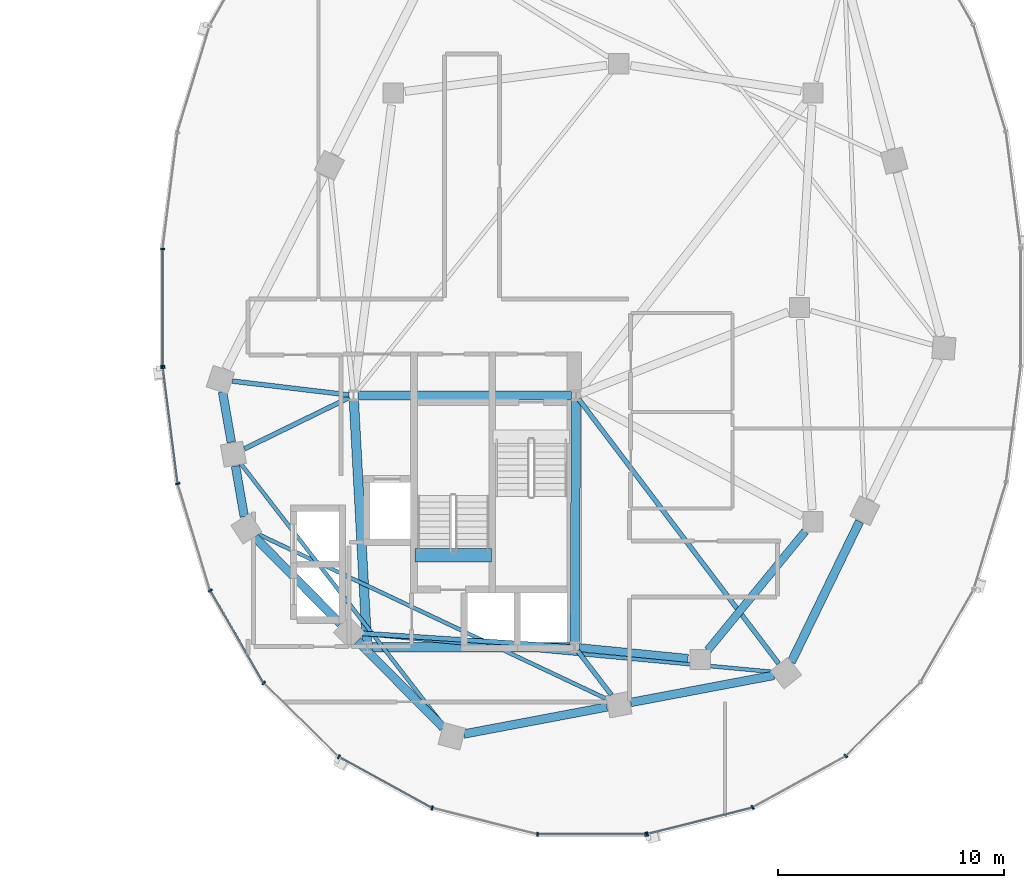
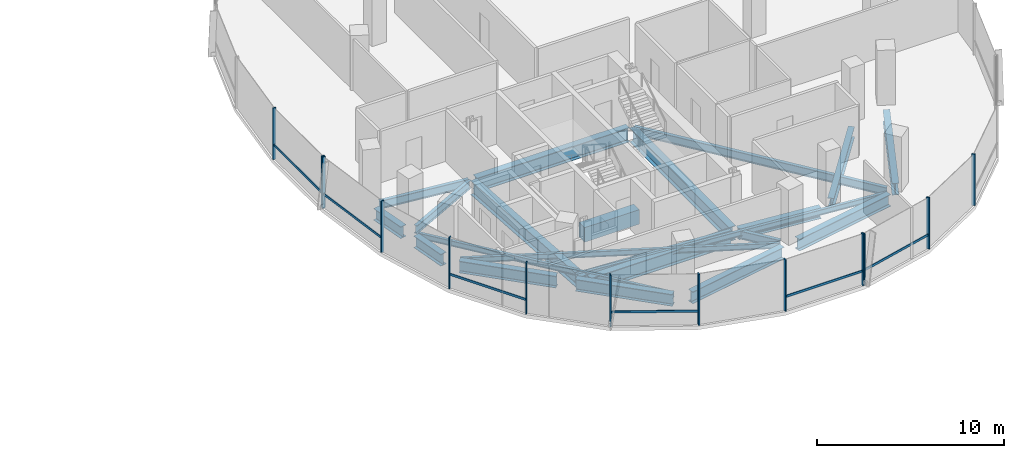
# One storey, part 6 of 22: 22 beams, 19 members, 3 elements without a shape of their own.
"""IFC4 building model written with IfcOpenShell, lengths in metres."""

from ifc_helpers import new_model, si_unit, direction, frame, origin, origin_2d, place, context, subcontext, project, spatial, rectangle, i_section, extrude, material, material_profile, profile_set, type_object, element, aggregate, save


model = new_model("IFC4")

# Units and contexts
model_context = context("Model", 3, precision=1e-05, world=origin(), true_north=direction((0.0, 1.0)))
body_context = subcontext(model_context, "Body", "Model", "MODEL_VIEW")
ifc_project = project(units=[si_unit("LENGTHUNIT", "METRE"), si_unit("AREAUNIT", "SQUARE_METRE"), si_unit("VOLUMEUNIT", "CUBIC_METRE"), si_unit("PLANEANGLEUNIT", "RADIAN"), si_unit("MASSUNIT", "GRAM", prefix="KILO"), si_unit("THERMODYNAMICTEMPERATUREUNIT", "KELVIN"), si_unit("POWERUNIT", "WATT")], contexts=[model_context])

# Site, building, storey
site_placement = place(None, origin())
site = spatial("IfcSite", under=ifc_project, at=site_placement, CompositionType="ELEMENT")
building_placement = place(site_placement, origin())
building = spatial("IfcBuilding", under=site, at=building_placement, Name="Cundina Bronze Exchange", CompositionType="ELEMENT")
storey_placement = place(building_placement, frame((0.0, 0.0, 136.800048828125)))
storey = spatial("IfcBuildingStorey", under=building, at=storey_placement, Name="L35", CompositionType="ELEMENT", Elevation=136.800048828125)

# Beams
ifc_material_1 = material(Name="Concrete C60/75", Category="concrete")
ifc_material_profile_1 = material_profile(ifc_material_1, rectangle(XDim=0.60009765625, YDim=0.949951171875, at=origin_2d()), Name="RC600X950", Category="concrete")
ifc_profile_set_1 = profile_set([ifc_material_profile_1], Name="Concrete C60/75")
beam_type_1 = type_object("IfcBeamType", Name="BM-COUP-RC950", PredefinedType="LINTEL", material=ifc_profile_set_1)
beam_1_placement = place(storey_placement, frame((24.159912109375, -10.97998046875, -0.47509765625), z_axis=(1.0, 0.0, 0.0), x_axis=(0.0, 1.0, 0.0)))
element("IfcBeam", 1, at=beam_1_placement, inside=storey, type_object=beam_type_1, Name="L35 Stair E2 Landing Header Beam", PredefinedType="LINTEL", context=body_context, shape_type="SweptSolid", body=[
    extrude(rectangle(XDim=0.60009765625, YDim=0.949951171875, at=origin_2d()), origin(), (0.0, 0.0, 1.0), 3.400146484375),
])
ifc_material_2 = material(Name="Steel ASTM A992 Grade 50", Category="steel")
ifc_material_profile_2 = material_profile(ifc_material_2, i_section(OverallWidth=0.2099609375, OverallDepth=0.532958984375, WebThickness=0.01025390625, FlangeThickness=0.015625, FilletRadius=0.013916015625, at=origin_2d()), Name="W21X62", Category="steel")
ifc_profile_set_2 = profile_set([ifc_material_profile_2], Name="Steel ASTM A992 Grade 50")
beam_type_2 = type_object("IfcBeamType", Name="BM-FLR-W21B", PredefinedType="BEAM", material=ifc_profile_set_2)
beam_2_placement = place(storey_placement, frame((21.247314453125, -3.8759765625, -0.506591796875), z_axis=(-0.993035701683, 0.117813815752, 0.0), x_axis=(-0.117813815752, -0.993035701683, 0.0)))
element("IfcBeam", 2, at=beam_2_placement, inside=storey, type_object=beam_type_2, Name="L35 Leg E Chordal Floor Beam 00", PredefinedType="BEAM", context=body_context, shape_type="SweptSolid", body=[
    extrude(i_section(OverallWidth=0.2099609375, OverallDepth=0.532958984375, WebThickness=0.01025390625, FlangeThickness=0.015625, FilletRadius=0.013916015625, at=origin_2d()), origin(), (0.0, 0.0, 1.0), 5.19921875),
])
beam_3_placement = place(storey_placement, frame((21.2666015625, -3.989501953125, -0.506591796875), z_axis=(-0.898607246385, -0.438753936443, 0.0), x_axis=(0.438753936443, -0.898607246385, 0.0)))
element("IfcBeam", 3, at=beam_3_placement, inside=storey, type_object=beam_type_2, Name="L35 Leg E Chordal Floor Beam 01", PredefinedType="BEAM", context=body_context, shape_type="SweptSolid", body=[
    extrude(i_section(OverallWidth=0.2099609375, OverallDepth=0.532958984375, WebThickness=0.01025390625, FlangeThickness=0.015625, FilletRadius=0.013916015625, at=origin_2d()), origin(), (0.0, 0.0, 1.0), 5.183837890625),
])
beam_4_placement = place(storey_placement, frame((31.04638671875, -15.036865234375, -0.506591796875), z_axis=(-0.997892901568, 0.064882640211, 0.0), x_axis=(-0.064882640211, -0.997892901568, 0.0)))
element("IfcBeam", 4, at=beam_4_placement, inside=storey, type_object=beam_type_2, Name="L35 Leg E Chordal Floor Beam 03", PredefinedType="BEAM", context=body_context, shape_type="SweptSolid", body=[
    extrude(i_section(OverallWidth=0.2099609375, OverallDepth=0.532958984375, WebThickness=0.01025390625, FlangeThickness=0.015625, FilletRadius=0.013916015625, at=origin_2d()), origin(), (0.0, 0.0, 1.0), 9.279052734375),
])
beam_5_placement = place(storey_placement, frame((31.373779296875, -15.2119140625, -0.506591796875), z_axis=(0.607490490457, -0.79432695032, 0.0), x_axis=(0.79432695032, 0.607490490457, 0.0)))
element("IfcBeam", 5, at=beam_5_placement, inside=storey, type_object=beam_type_2, Name="L35 Leg E Chordal Floor Beam 05", PredefinedType="BEAM", context=body_context, shape_type="SweptSolid", body=[
    extrude(i_section(OverallWidth=0.2099609375, OverallDepth=0.532958984375, WebThickness=0.01025390625, FlangeThickness=0.015625, FilletRadius=0.013916015625, at=origin_2d()), origin(), (0.0, 0.0, 1.0), 2.46826171875),
])
beam_6_placement = place(storey_placement, frame((31.423095703125, -4.062744140625, -0.506591796875), z_axis=(0.603095885041, -0.797668699052, 0.0), x_axis=(0.797668699052, 0.603095885041, 0.0)))
element("IfcBeam", 6, at=beam_6_placement, inside=storey, type_object=beam_type_2, Name="L35 Leg E Chordal Floor Beam 06", PredefinedType="BEAM", context=body_context, shape_type="SweptSolid", body=[
    extrude(i_section(OverallWidth=0.2099609375, OverallDepth=0.532958984375, WebThickness=0.01025390625, FlangeThickness=0.015625, FilletRadius=0.013916015625, at=origin_2d()), origin(), (0.0, 0.0, 1.0), 14.677978515625),
])
ifc_material_profile_3 = material_profile(ifc_material_2, i_section(OverallWidth=0.172119140625, OverallDepth=0.35791015625, WebThickness=0.0078125, FlangeThickness=0.01318359375, FilletRadius=0.010009765625, at=origin_2d()), Name="W14X38", Category="steel")
ifc_profile_set_3 = profile_set([ifc_material_profile_3], Name="Steel ASTM A992 Grade 50")
beam_type_3 = type_object("IfcBeamType", Name="BM-JST-W14", PredefinedType="JOIST", material=ifc_profile_set_3)
beam_7_placement = place(storey_placement, frame((16.454345703125, -6.92529296875, -0.4189453125), z_axis=(0.612065218806, -0.790807288742, 0.0), x_axis=(0.790807288742, 0.612065218806, 0.0)))
element("IfcBeam", 7, at=beam_7_placement, inside=storey, type_object=beam_type_3, Name="L35 Leg E Lobe Floor Joist 01-04", PredefinedType="JOIST", context=body_context, shape_type="SweptSolid", body=[
    extrude(i_section(OverallWidth=0.172119140625, OverallDepth=0.35791015625, WebThickness=0.0078125, FlangeThickness=0.01318359375, FilletRadius=0.010009765625, at=origin_2d()), origin(), (0.0, 0.0, 1.0), 14.73095703125),
])
beam_8_placement = place(storey_placement, frame((17.186279296875, -10.02978515625, -0.4189453125), z_axis=(0.904069270633, -0.427385954259, 0.0), x_axis=(0.427385954259, 0.904069270633, 0.0)))
element("IfcBeam", 8, at=beam_8_placement, inside=storey, type_object=beam_type_3, Name="L35 Leg E Lobe Floor Joist 02-05", PredefinedType="JOIST", context=body_context, shape_type="SweptSolid", body=[
    extrude(i_section(OverallWidth=0.172119140625, OverallDepth=0.35791015625, WebThickness=0.0078125, FlangeThickness=0.01318359375, FilletRadius=0.010009765625, at=origin_2d()), origin(), (0.0, 0.0, 1.0), 17.175048828125),
])
beam_9_placement = place(storey_placement, frame((21.78564453125, -14.44970703125, -0.4189453125), z_axis=(0.995700674022, -0.092629194921, 0.0), x_axis=(0.092629194921, 0.995700674022, 0.0)))
element("IfcBeam", 9, at=beam_9_placement, inside=storey, type_object=beam_type_3, Name="L35 Leg E Lobe Floor Joist 03-06", PredefinedType="JOIST", context=body_context, shape_type="SweptSolid", body=[
    extrude(i_section(OverallWidth=0.172119140625, OverallDepth=0.35791015625, WebThickness=0.0078125, FlangeThickness=0.01318359375, FilletRadius=0.010009765625, at=origin_2d()), origin(), (0.0, 0.0, 1.0), 18.357421875),
])
ifc_material_profile_4 = material_profile(ifc_material_2, i_section(OverallWidth=0.35498046875, OverallDepth=0.695068359375, WebThickness=0.015380859375, FlangeThickness=0.02490234375, FilletRadius=0.01806640625, at=origin_2d()), Name="W27X146", Category="steel")
ifc_profile_set_4 = profile_set([ifc_material_profile_4], Name="Steel ASTM A992 Grade 50")
beam_type_4 = type_object("IfcBeamType", Name="BM-RING-W27", PredefinedType="USERDEFINED", material=ifc_profile_set_4)
beam_10_placement = place(storey_placement, frame((31.452880859375, -15.070068359375, -0.587646484375), z_axis=(0.995126271817, -0.098608839051, 0.0), x_axis=(0.098608839051, 0.995126271817, 0.0)))
element("IfcBeam", 10, at=beam_10_placement, inside=storey, type_object=beam_type_4, Name="L35 E Inner Structural Ring Girder 01", ObjectType="GIRDER", PredefinedType="USERDEFINED", context=body_context, shape_type="SweptSolid", body=[
    extrude(i_section(OverallWidth=0.35498046875, OverallDepth=0.695068359375, WebThickness=0.015380859375, FlangeThickness=0.02490234375, FilletRadius=0.01806640625, at=origin_2d()), origin(), (0.0, 0.0, 1.0), 4.83544921875),
])
beam_11_placement = place(storey_placement, frame((37.14111328125, -15.183837890625, -0.587646484375), z_axis=(0.633926549035, 0.773393257295, 0.0), x_axis=(-0.773393257295, 0.633926549035, 0.0)))
element("IfcBeam", 11, at=beam_11_placement, inside=storey, type_object=beam_type_4, Name="L35 E Inner Structural Ring Girder 02", ObjectType="GIRDER", PredefinedType="USERDEFINED", context=body_context, shape_type="SweptSolid", body=[
    extrude(i_section(OverallWidth=0.35498046875, OverallDepth=0.695068359375, WebThickness=0.015380859375, FlangeThickness=0.02490234375, FilletRadius=0.01806640625, at=origin_2d()), origin(), (0.0, 0.0, 1.0), 6.811279296875),
])
ifc_material_profile_5 = material_profile(ifc_material_2, i_section(OverallWidth=0.381103515625, OverallDepth=0.77294921875, WebThickness=0.0166015625, FlangeThickness=0.027099609375, FilletRadius=0.01904296875, at=origin_2d()), Name="W30X173", Category="steel")
ifc_profile_set_5 = profile_set([ifc_material_profile_5], Name="Steel ASTM A992 Grade 50")
beam_type_5 = type_object("IfcBeamType", Name="BM-RING-W30", PredefinedType="USERDEFINED", material=ifc_profile_set_5)
for number, where, z_axis, x_axis, name in (
    (12, (15.642333984375, -3.72998046875, -0.62646484375), (0.171690078326, -0.985151012284, 0.0), (0.985151012284, 0.171690078326, 0.0), "L35 E Perimeter Ring Girder 00"),
    (13, (16.21728515625, -7.030029296875, -0.62646484375), (0.171690078326, -0.985151012284, 0.0), (0.985151012284, 0.171690078326, 0.0), "L35 E Perimeter Ring Girder 01"),
):
    element("IfcBeam", number, at=place(storey_placement, frame(where, z_axis=z_axis, x_axis=x_axis)), inside=storey, type_object=beam_type_5, Name=name, ObjectType="GIRDER", PredefinedType="USERDEFINED", context=body_context, shape_type="SweptSolid", body=[
        extrude(i_section(OverallWidth=0.381103515625, OverallDepth=0.77294921875, WebThickness=0.0166015625, FlangeThickness=0.027099609375, FilletRadius=0.01904296875, at=origin_2d()), origin(), (0.0, 0.0, 1.0), 2.273681640625),
    ])
for number, where, z_axis, x_axis, name in (
    (14, (17.078369140625, -10.1826171875, -0.62646484375), (0.703226342126, -0.7109660412, 0.0), (0.7109660412, 0.703226342126, 0.0), "L35 E Perimeter Ring Girder 02"),
    (15, (21.62841796875, -14.782470703125, -0.62646484375), (0.703226342126, -0.7109660412, 0.0), (0.7109660412, 0.703226342126, 0.0), "L35 E Perimeter Ring Girder 03"),
):
    element("IfcBeam", number, at=place(storey_placement, frame(where, z_axis=z_axis, x_axis=x_axis)), inside=storey, type_object=beam_type_5, Name=name, ObjectType="GIRDER", PredefinedType="USERDEFINED", context=body_context, shape_type="SweptSolid", body=[
        extrude(i_section(OverallWidth=0.381103515625, OverallDepth=0.77294921875, WebThickness=0.0166015625, FlangeThickness=0.027099609375, FilletRadius=0.01904296875, at=origin_2d()), origin(), (0.0, 0.0, 1.0), 5.39404296875),
    ])
for number, where, z_axis, x_axis, name in (
    (16, (26.32861328125, -18.89990234375, -0.62646484375), (0.98257117919, 0.185886733861, 0.0), (-0.185886733861, 0.98257117919, 0.0), "L35 E Perimeter Ring Girder 04"),
    (17, (33.728515625, -17.5, -0.62646484375), (0.98257117919, 0.185886733861, 0.0), (-0.185886733861, 0.98257117919, 0.0), "L35 E Perimeter Ring Girder 05"),
):
    element("IfcBeam", number, at=place(storey_placement, frame(where, z_axis=z_axis, x_axis=x_axis)), inside=storey, type_object=beam_type_5, Name=name, ObjectType="GIRDER", PredefinedType="USERDEFINED", context=body_context, shape_type="SweptSolid", body=[
        extrude(i_section(OverallWidth=0.381103515625, OverallDepth=0.77294921875, WebThickness=0.0166015625, FlangeThickness=0.027099609375, FilletRadius=0.01904296875, at=origin_2d()), origin(), (0.0, 0.0, 1.0), 6.455322265625),
    ])
beam_12_placement = place(storey_placement, frame((40.835205078125, -15.716064453125, -0.62646484375), z_axis=(0.437193894283, 0.899367276924, 0.0), x_axis=(-0.899367276924, 0.437193894283, 0.0)))
element("IfcBeam", 18, at=beam_12_placement, inside=storey, type_object=beam_type_5, Name="L35 E Perimeter Ring Girder 06", ObjectType="GIRDER", PredefinedType="USERDEFINED", context=body_context, shape_type="SweptSolid", body=[
    extrude(i_section(OverallWidth=0.381103515625, OverallDepth=0.77294921875, WebThickness=0.0166015625, FlangeThickness=0.027099609375, FilletRadius=0.01904296875, at=origin_2d()), origin(), (0.0, 0.0, 1.0), 6.929443359375),
])
ifc_material_profile_6 = material_profile(ifc_material_2, i_section(OverallWidth=0.41796875, OverallDepth=0.927001953125, WebThickness=0.019287109375, FlangeThickness=0.031982421875, FilletRadius=0.02392578125, at=origin_2d()), Name="W36X231", Category="steel")
ifc_profile_set_6 = profile_set([ifc_material_profile_6], Name="Steel ASTM A992 Grade 50")
beam_type_6 = type_object("IfcBeamType", Name="BM-WRN-W36B", PredefinedType="USERDEFINED", material=ifc_profile_set_6)
beam_13_placement = place(storey_placement, frame((31.095947265625, -3.89990234375, -0.70361328125), z_axis=(-1.0, 0.0, 0.0), x_axis=(0.0, -1.0, 0.0)))
element("IfcBeam", 19, at=beam_13_placement, inside=storey, type_object=beam_type_6, Name="L35 E Core Perimeter Tie Girder 1", ObjectType="GIRDER", PredefinedType="USERDEFINED", context=body_context, shape_type="SweptSolid", body=[
    extrude(i_section(OverallWidth=0.41796875, OverallDepth=0.927001953125, WebThickness=0.019287109375, FlangeThickness=0.031982421875, FilletRadius=0.02392578125, at=origin_2d()), origin(), (0.0, 0.0, 1.0), 9.44189453125),
])
beam_14_placement = place(storey_placement, frame((21.4609375, -4.103759765625, -0.70361328125), z_axis=(0.053739193498, -0.998555005537, 0.0), x_axis=(0.998555005537, 0.053739193498, 0.0)))
element("IfcBeam", 20, at=beam_14_placement, inside=storey, type_object=beam_type_6, Name="L35 E Core Perimeter Tie Girder 2", ObjectType="GIRDER", PredefinedType="USERDEFINED", context=body_context, shape_type="SweptSolid", body=[
    extrude(i_section(OverallWidth=0.41796875, OverallDepth=0.927001953125, WebThickness=0.019287109375, FlangeThickness=0.031982421875, FilletRadius=0.02392578125, at=origin_2d()), origin(), (0.0, 0.0, 1.0), 10.758056640625),
])
beam_15_placement = place(storey_placement, frame((22.25390625, -15.050048828125, -0.70361328125), z_axis=(1.0, 0.0, 0.0), x_axis=(0.0, 1.0, 0.0)))
element("IfcBeam", 21, at=beam_15_placement, inside=storey, type_object=beam_type_6, Name="L35 E Core Perimeter Tie Girder 3", ObjectType="GIRDER", PredefinedType="USERDEFINED", context=body_context, shape_type="SweptSolid", body=[
    extrude(i_section(OverallWidth=0.41796875, OverallDepth=0.927001953125, WebThickness=0.019287109375, FlangeThickness=0.031982421875, FilletRadius=0.02392578125, at=origin_2d()), origin(), (0.0, 0.0, 1.0), 8.7919921875),
])
beam_16_placement = place(storey_placement, frame((31.2509765625, -14.845947265625, -0.70361328125), z_axis=(0.004477329608, 0.99998997671, 0.0), x_axis=(-0.99998997671, 0.004477329608, 0.0)))
element("IfcBeam", 22, at=beam_16_placement, inside=storey, type_object=beam_type_6, Name="L35 E Core Perimeter Tie Girder 4", ObjectType="GIRDER", PredefinedType="USERDEFINED", context=body_context, shape_type="SweptSolid", body=[
    extrude(i_section(OverallWidth=0.41796875, OverallDepth=0.927001953125, WebThickness=0.019287109375, FlangeThickness=0.031982421875, FilletRadius=0.02392578125, at=origin_2d()), origin(), (0.0, 0.0, 1.0), 10.741943359375),
])

# Curtain wall, members
ifc_material_3 = material(Name="Anodised Bronze Aluminium 6063-T6", Category="aluminium")
curtain_wall_type = type_object("IfcCurtainWallType", Name="CWS-WST-PIN", PredefinedType="NOTDEFINED", material=ifc_material_3)
curtain_wall_1_placement = place(storey_placement, origin())
curtain_wall_1 = element("IfcCurtainWall", 23, at=curtain_wall_1_placement, inside=storey, type_object=curtain_wall_type, Name="L35 CW-04 Curtain Wall Run CWR-L35-E2", PredefinedType="NOTDEFINED")
ifc_material_profile_7 = material_profile(ifc_material_3, rectangle(XDim=0.070068359375, YDim=0.18994140625, at=origin_2d()), Name="AL70X190", Category="aluminium")
ifc_profile_set_7 = profile_set([ifc_material_profile_7], Name="Anodised Bronze Aluminium 6063-T6")
member_type_1 = type_object("IfcMemberType", Name="CWM-MUL-190", PredefinedType="MULLION", material=ifc_profile_set_7)
member_1_placement = place(storey_placement, frame((12.992919921875, 2.593017578125, 0.0), z_axis=(0.0, 0.0, 1.0), x_axis=(0.0, -1.0, 0.0)))
member_1 = element("IfcMember", 24, at=member_1_placement, type_object=member_type_1, Name="CW-04 Mullion 7", PredefinedType="MULLION", context=body_context, shape_type="SweptSolid", body=[
    extrude(rectangle(XDim=0.070068359375, YDim=0.18994140625, at=origin_2d()), origin(), (0.0, 0.0, 1.0), 3.35986328125),
])
member_2_placement = place(storey_placement, frame((12.992919921875, -2.593017578125, 0.0), z_axis=(0.0, 0.0, 1.0), x_axis=(0.0, -1.0, 0.0)))
member_2 = element("IfcMember", 25, at=member_2_placement, type_object=member_type_1, Name="CW-04 End Mullion", PredefinedType="MULLION", context=body_context, shape_type="SweptSolid", body=[
    extrude(rectangle(XDim=0.070068359375, YDim=0.18994140625, at=origin_2d()), origin(), (0.0, 0.0, 1.0), 3.35986328125),
])

curtain_wall_2_placement = place(storey_placement, origin())
curtain_wall_2 = element("IfcCurtainWall", 26, at=curtain_wall_2_placement, inside=storey, type_object=curtain_wall_type, Name="L35 CW-04 Curtain Wall Run CWR-L35-E3", PredefinedType="NOTDEFINED")
member_3_placement = place(storey_placement, frame((12.998291015625, -2.676025390625, 0.0), z_axis=(0.0, 0.0, 1.0), x_axis=(0.126545236492, -0.991960837494, 0.0)))
member_3 = element("IfcMember", 27, at=member_3_placement, type_object=member_type_1, Name="CW-04 Mullion 1", PredefinedType="MULLION", context=body_context, shape_type="SweptSolid", body=[
    extrude(rectangle(XDim=0.070068359375, YDim=0.18994140625, at=origin_2d()), origin(), (0.0, 0.0, 1.0), 3.35986328125),
])
member_4_placement = place(storey_placement, frame((13.6591796875, -7.80859375, 0.0), z_axis=(0.0, 0.0, 1.0), x_axis=(0.290034140915, -0.957016299288, 0.0)))
member_4 = element("IfcMember", 28, at=member_4_placement, type_object=member_type_1, Name="CW-04 Mullion 2", PredefinedType="MULLION", context=body_context, shape_type="SweptSolid", body=[
    extrude(rectangle(XDim=0.070068359375, YDim=0.18994140625, at=origin_2d()), origin(), (0.0, 0.0, 1.0), 3.35986328125),
])
member_5_placement = place(storey_placement, frame((15.10205078125, -12.541259765625, 0.0), z_axis=(0.0, 0.0, 1.0), x_axis=(0.498487739754, -0.866896748936, 0.0)))
member_5 = element("IfcMember", 29, at=member_5_placement, type_object=member_type_1, Name="CW-04 Mullion 3", PredefinedType="MULLION", context=body_context, shape_type="SweptSolid", body=[
    extrude(rectangle(XDim=0.070068359375, YDim=0.18994140625, at=origin_2d()), origin(), (0.0, 0.0, 1.0), 3.35986328125),
])
member_6_placement = place(storey_placement, frame((17.469482421875, -16.640380859375, 0.0), z_axis=(0.0, 0.0, 1.0), x_axis=(0.712026045991, -0.702153052995, 0.0)))
member_6 = element("IfcMember", 30, at=member_6_placement, type_object=member_type_1, Name="CW-04 Mullion 4", PredefinedType="MULLION", context=body_context, shape_type="SweptSolid", body=[
    extrude(rectangle(XDim=0.070068359375, YDim=0.18994140625, at=origin_2d()), origin(), (0.0, 0.0, 1.0), 3.35986328125),
])
member_7_placement = place(storey_placement, frame((20.79345703125, -19.906005859375, 0.0), z_axis=(0.0, 0.0, 1.0), x_axis=(0.875885937035, -0.482518212408, 0.0)))
member_7 = element("IfcMember", 31, at=member_7_placement, type_object=member_type_1, Name="CW-04 Mullion 5", PredefinedType="MULLION", context=body_context, shape_type="SweptSolid", body=[
    extrude(rectangle(XDim=0.070068359375, YDim=0.18994140625, at=origin_2d()), origin(), (0.0, 0.0, 1.0), 3.35986328125),
])
member_8_placement = place(storey_placement, frame((24.932373046875, -22.17626953125, 0.0), z_axis=(0.0, 0.0, 1.0), x_axis=(0.970084240161, -0.242768546132, 0.0)))
member_8 = element("IfcMember", 32, at=member_8_placement, type_object=member_type_1, Name="CW-04 Mullion 6", PredefinedType="MULLION", context=body_context, shape_type="SweptSolid", body=[
    extrude(rectangle(XDim=0.070068359375, YDim=0.18994140625, at=origin_2d()), origin(), (0.0, 0.0, 1.0), 3.35986328125),
])
member_9_placement = place(storey_placement, frame((29.60595703125, -23.3369140625, 0.0), z_axis=(0.0, 0.0, 1.0), x_axis=(1.0, 0.0, 0.0)))
member_9 = element("IfcMember", 33, at=member_9_placement, type_object=member_type_1, Name="CW-04 Mullion 7", PredefinedType="MULLION", context=body_context, shape_type="SweptSolid", body=[
    extrude(rectangle(XDim=0.070068359375, YDim=0.18994140625, at=origin_2d()), origin(), (0.0, 0.0, 1.0), 3.35986328125),
])
member_10_placement = place(storey_placement, frame((34.39404296875, -23.3369140625, 0.0), z_axis=(0.0, 0.0, 1.0), x_axis=(1.0, 0.0, 0.0)))
member_10 = element("IfcMember", 34, at=member_10_placement, type_object=member_type_1, Name="CW-04 End Mullion", PredefinedType="MULLION", context=body_context, shape_type="SweptSolid", body=[
    extrude(rectangle(XDim=0.070068359375, YDim=0.18994140625, at=origin_2d()), origin(), (0.0, 0.0, 1.0), 3.35986328125),
])

curtain_wall_3_placement = place(storey_placement, origin())
curtain_wall_3 = element("IfcCurtainWall", 35, at=curtain_wall_3_placement, inside=storey, type_object=curtain_wall_type, Name="L35 CW-04 Curtain Wall Run CWR-L35-E4", PredefinedType="NOTDEFINED")
member_11_placement = place(storey_placement, frame((34.462646484375, -23.32861328125, 0.0), z_axis=(0.0, 0.0, 1.0), x_axis=(0.970084240161, 0.242768546132, 0.0)))
member_11 = element("IfcMember", 36, at=member_11_placement, type_object=member_type_1, Name="CW-04 Mullion 1", PredefinedType="MULLION", context=body_context, shape_type="SweptSolid", body=[
    extrude(rectangle(XDim=0.070068359375, YDim=0.18994140625, at=origin_2d()), origin(), (0.0, 0.0, 1.0), 3.35986328125),
])
member_12_placement = place(storey_placement, frame((39.13037109375, -22.151611328125, 0.0), z_axis=(0.0, 0.0, 1.0), x_axis=(0.875885937035, 0.482518212408, 0.0)))
member_12 = element("IfcMember", 37, at=member_12_placement, type_object=member_type_1, Name="CW-04 Mullion 2", PredefinedType="MULLION", context=body_context, shape_type="SweptSolid", body=[
    extrude(rectangle(XDim=0.070068359375, YDim=0.18994140625, at=origin_2d()), origin(), (0.0, 0.0, 1.0), 3.35986328125),
])
member_13_placement = place(storey_placement, frame((43.259033203125, -19.86669921875, 0.0), z_axis=(0.0, 0.0, 1.0), x_axis=(0.712026045991, 0.702153052995, 0.0)))
member_13 = element("IfcMember", 38, at=member_13_placement, type_object=member_type_1, Name="CW-04 Mullion 3", PredefinedType="MULLION", context=body_context, shape_type="SweptSolid", body=[
    extrude(rectangle(XDim=0.070068359375, YDim=0.18994140625, at=origin_2d()), origin(), (0.0, 0.0, 1.0), 3.35986328125),
])

# Member
ifc_material_profile_8 = material_profile(ifc_material_3, rectangle(XDim=0.06494140625, YDim=0.14990234375, at=origin_2d()), Name="AL65X150", Category="aluminium")
ifc_profile_set_8 = profile_set([ifc_material_profile_8], Name="Anodised Bronze Aluminium 6063-T6")
member_type_2 = type_object("IfcMemberType", Name="CWM-TRN-150", PredefinedType="USERDEFINED", material=ifc_profile_set_8)
member_14_placement = place(storey_placement, frame((12.992919921875, 2.554443359375, 0.919921875), z_axis=(0.0, -1.0, 0.0), x_axis=(1.0, 0.0, 0.0)))
member_14 = element("IfcMember", 39, at=member_14_placement, type_object=member_type_2, Name="CW-04 Spandrel Transom 7", ObjectType="TRANSOM", PredefinedType="USERDEFINED", context=body_context, shape_type="SweptSolid", body=[
    extrude(rectangle(XDim=0.06494140625, YDim=0.14990234375, at=origin_2d()), origin(), (0.0, 0.0, 1.0), 5.10888671875),
])

aggregate(curtain_wall_1, [member_1, member_2, member_14])

member_15_placement = place(storey_placement, frame((13.003173828125, -2.71435546875, 0.919921875), z_axis=(0.12646340362, -0.991971273548, 0.0), x_axis=(0.991971273548, 0.12646340362, 0.0)))
member_15 = element("IfcMember", 40, at=member_15_placement, type_object=member_type_2, Name="CW-04 Spandrel Transom 1", ObjectType="TRANSOM", PredefinedType="USERDEFINED", context=body_context, shape_type="SweptSolid", body=[
    extrude(rectangle(XDim=0.06494140625, YDim=0.14990234375, at=origin_2d()), origin(), (0.0, 0.0, 1.0), 5.0966796875),
])

member_16_placement = place(storey_placement, frame((15.121337890625, -12.574462890625, 0.919921875), z_axis=(0.498479967047, -0.866901218394, 0.0), x_axis=(0.866901218394, 0.498479967047, 0.0)))
member_16 = element("IfcMember", 41, at=member_16_placement, type_object=member_type_2, Name="CW-04 Spandrel Transom 3", ObjectType="TRANSOM", PredefinedType="USERDEFINED", context=body_context, shape_type="SweptSolid", body=[
    extrude(rectangle(XDim=0.06494140625, YDim=0.14990234375, at=origin_2d()), origin(), (0.0, 0.0, 1.0), 4.66845703125),
])

member_17_placement = place(storey_placement, frame((20.8271484375, -19.924560546875, 0.919921875), z_axis=(0.875878981549, -0.482530838062, 0.0), x_axis=(0.482530838062, 0.875878981549, 0.0)))
member_17 = element("IfcMember", 42, at=member_17_placement, type_object=member_type_2, Name="CW-04 Spandrel Transom 5", ObjectType="TRANSOM", PredefinedType="USERDEFINED", context=body_context, shape_type="SweptSolid", body=[
    extrude(rectangle(XDim=0.06494140625, YDim=0.14990234375, at=origin_2d()), origin(), (0.0, 0.0, 1.0), 4.65380859375),
])

member_18_placement = place(storey_placement, frame((29.64453125, -23.3369140625, 0.919921875), z_axis=(1.0, 0.0, 0.0), x_axis=(0.0, 1.0, 0.0)))
member_18 = element("IfcMember", 43, at=member_18_placement, type_object=member_type_2, Name="CW-04 Spandrel Transom 7", ObjectType="TRANSOM", PredefinedType="USERDEFINED", context=body_context, shape_type="SweptSolid", body=[
    extrude(rectangle(XDim=0.06494140625, YDim=0.14990234375, at=origin_2d()), origin(), (0.0, 0.0, 1.0), 4.7109375),
])

aggregate(curtain_wall_2, [member_3, member_15, member_4, member_5, member_16, member_6, member_7, member_17, member_8, member_9, member_10, member_18])

member_19_placement = place(storey_placement, frame((34.5, -23.319091796875, 0.919921875), z_axis=(0.970100130035, 0.242705042606, 0.0), x_axis=(-0.242705042606, 0.970100130035, 0.0)))
member_19 = element("IfcMember", 44, at=member_19_placement, type_object=member_type_2, Name="CW-04 Spandrel Transom 1", ObjectType="TRANSOM", PredefinedType="USERDEFINED", context=body_context, shape_type="SweptSolid", body=[
    extrude(rectangle(XDim=0.06494140625, YDim=0.14990234375, at=origin_2d()), origin(), (0.0, 0.0, 1.0), 4.746826171875),
])

aggregate(curtain_wall_3, [member_11, member_19, member_12, member_13])

save(model, "model.ifc")
